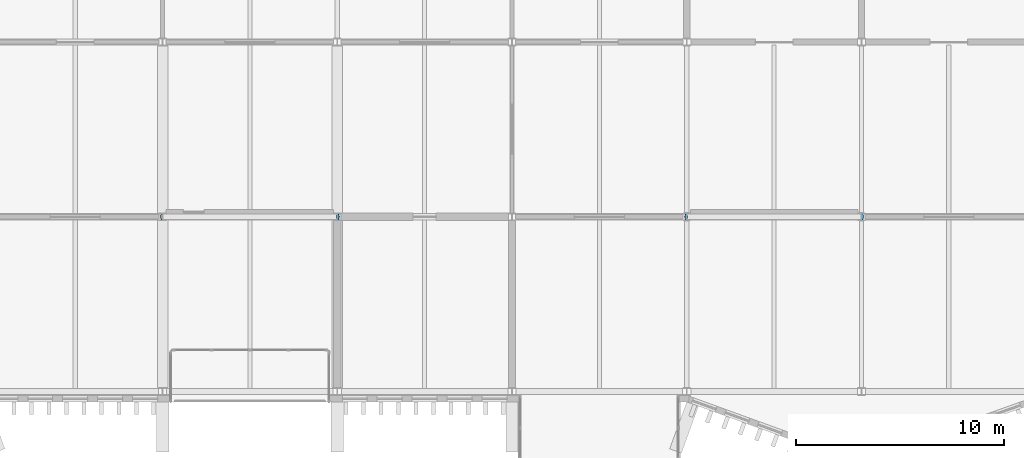
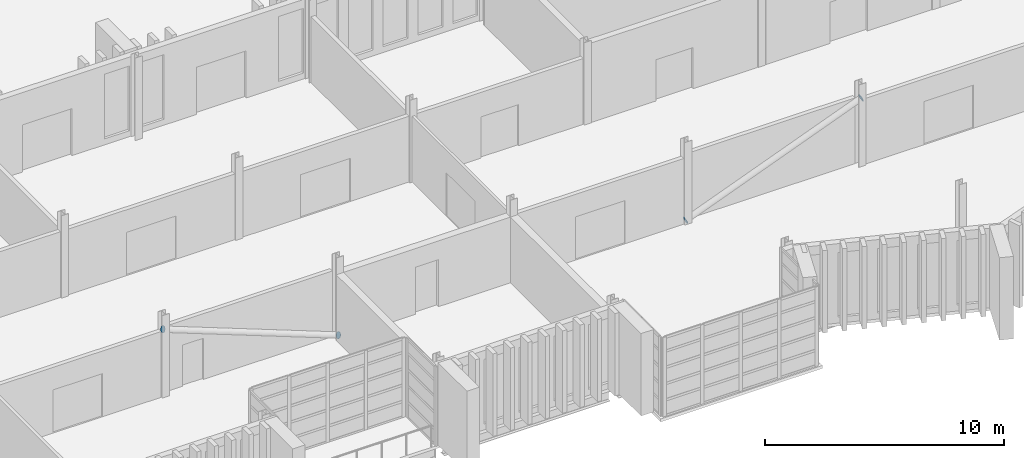
# One storey, part 76 of 96: 4 discrete accessories.
"""IFC4 building model written with IfcOpenShell, lengths in metres."""

from ifc_helpers import new_model, si_unit, direction, frame, origin, origin_2d, place, context, subcontext, project, spatial, circle, extrude, material, layer, layer_set, type_object, element, save


model = new_model("IFC4")

# Units and contexts
model_context = context("Model", 3, precision=1e-05, world=origin(), true_north=direction((0.0, 1.0)))
body_context = subcontext(model_context, "Body", "Model", "MODEL_VIEW")
ifc_project = project(units=[si_unit("LENGTHUNIT", "METRE"), si_unit("AREAUNIT", "SQUARE_METRE"), si_unit("VOLUMEUNIT", "CUBIC_METRE"), si_unit("PLANEANGLEUNIT", "RADIAN"), si_unit("MASSUNIT", "GRAM", prefix="KILO")], contexts=[model_context])

# Site, building, storey
site_placement = place(None, origin())
site = spatial("IfcSite", under=ifc_project, at=site_placement, CompositionType="ELEMENT")
building_placement = place(site_placement, origin())
building = spatial("IfcBuilding", under=site, at=building_placement, Name="Cresset Court Congress Hotel", CompositionType="ELEMENT")
storey_placement = place(building_placement, frame((0.0, 0.0, 6.0)))
storey = spatial("IfcBuildingStorey", under=building, at=storey_placement, Name="L01", CompositionType="ELEMENT", Elevation=6.0)

# Discrete accessories
ifc_material = material(Name="Structural steel Q355B", Category="steel")
ifc_layer = layer(ifc_material, 0.01611328125)
ifc_layer_set = layer_set([ifc_layer], Name="Brace end gusset 273x16")
discrete_accessory_type = type_object("IfcDiscreteAccessoryType", Name="Brace end gusset 273x16", PredefinedType="BRACKET", material=ifc_layer_set)
discrete_accessory_1_placement = place(storey_placement, frame((75.574951171875, 8.39990234375, 3.360107421875), z_axis=(-0.935697286394, 0.0, 0.35280389487), x_axis=(0.0, -1.0, 0.0)))
element("IfcDiscreteAccessory", 1, at=discrete_accessory_1_placement, inside=storey, type_object=discrete_accessory_type, Name="Brace end gusset L01 10-1", PredefinedType="BRACKET", context=body_context, shape_type="SweptSolid", body=[
    extrude(circle(Radius=0.156494140625, at=origin_2d()), origin(), (0.0, 0.0, 1.0), 0.015869140625),
])
for number, where, z_axis, x_axis, name in (
    (2, (84.02490234375, 8.39990234375, 0.10009765625), (0.930565951697, 0.0, -0.366124308865), (0.0, 1.0, 0.0), "Brace end gusset L01 10-2"),
    (3, (100.77490234375, 8.39990234375, 0.10009765625), (-0.930565951697, 0.0, -0.366124308865), (0.0, -1.0, 0.0), "Brace end gusset L01 13-1"),
):
    element("IfcDiscreteAccessory", number, at=place(storey_placement, frame(where, z_axis=z_axis, x_axis=x_axis)), inside=storey, type_object=discrete_accessory_type, Name=name, PredefinedType="BRACKET", context=body_context, shape_type="SweptSolid", body=[
        extrude(circle(Radius=0.156494140625, at=origin_2d()), origin(), (0.0, 0.0, 1.0), 0.01611328125),
    ])
discrete_accessory_2_placement = place(storey_placement, frame((109.22509765625, 8.39990234375, 3.360107421875), z_axis=(0.935697286394, 0.0, 0.35280389487), x_axis=(0.0, 1.0, 0.0)))
element("IfcDiscreteAccessory", 4, at=discrete_accessory_2_placement, inside=storey, type_object=discrete_accessory_type, Name="Brace end gusset L01 13-2", PredefinedType="BRACKET", context=body_context, shape_type="SweptSolid", body=[
    extrude(circle(Radius=0.156494140625, at=origin_2d()), origin(), (0.0, 0.0, 1.0), 0.015869140625),
])

save(model, "model.ifc")
